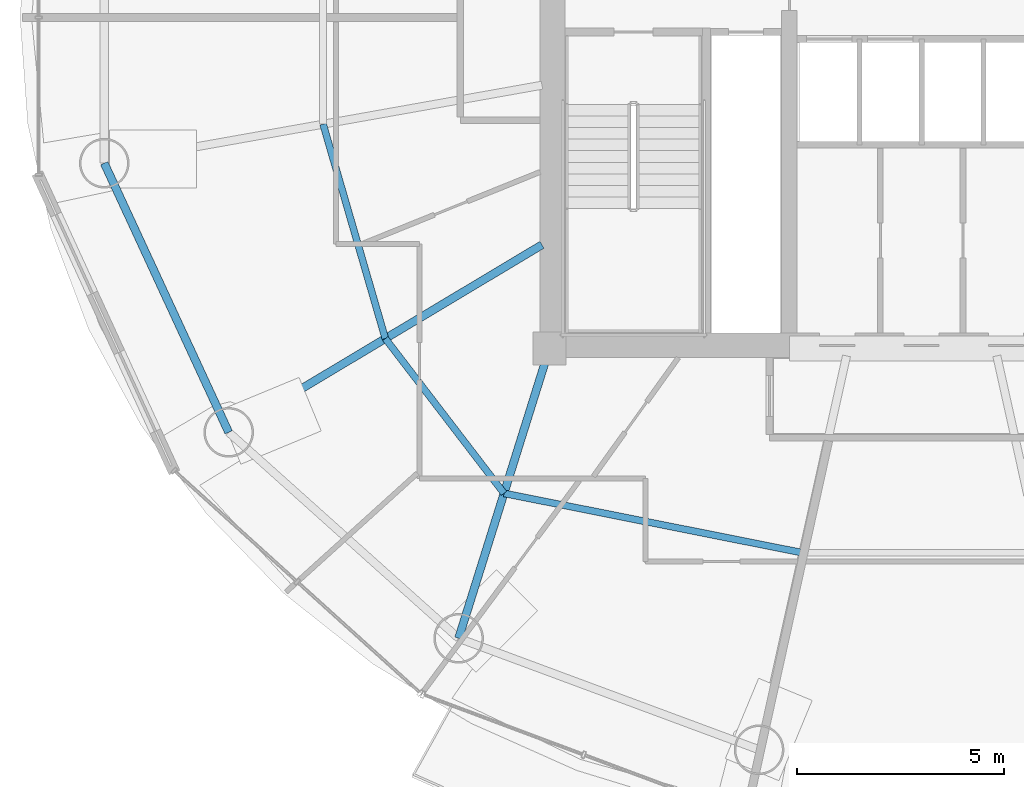
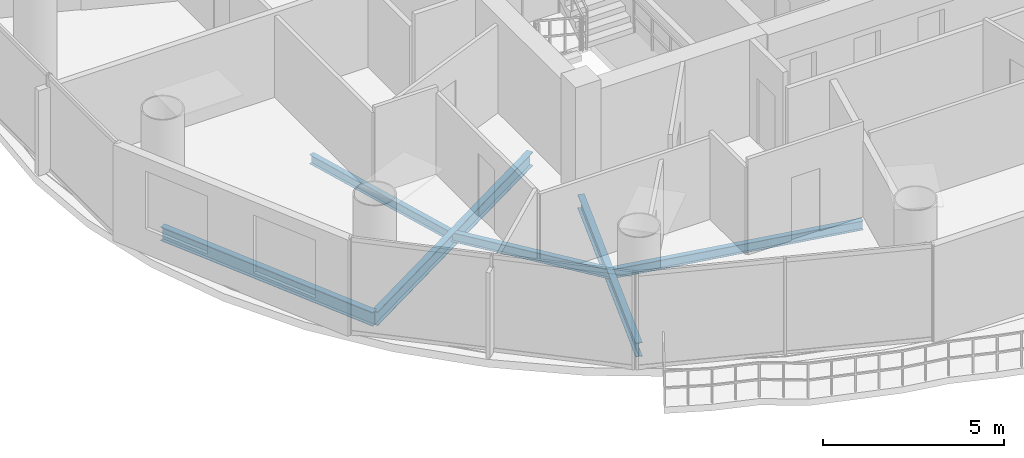
# One storey, part 4 of 26: 6 beams.
"""IFC4 building model written with IfcOpenShell, lengths in metres."""

import ifcopenshell
import ifcopenshell.guid

model = None  # the IFC model being written
_history = None  # IfcOwnerHistory: only IFC2X3 demands one
_inside = {}  # id of a spatial element -> (the spatial element, [elements in it])
_under = {}  # id of a project, library or spatial element -> (it, [spatial elements below it])
_declared = {}  # id of a project -> (the project, [libraries it declares])
_typed = {}  # id of a type object -> (the type object, [elements of that type])
_made_of = {}  # id of a material, layer set ... -> (it, [elements and type objects made of it])


def new_model(schema):
    """Start an empty IFC model of exactly this schema.

    Asked for "IFC4X3", IfcOpenShell would pick the latest addendum, in which some entities
    have other attributes; the version numbers below select the first issue.
    IFC2X3 requires an IfcOwnerHistory on every rooted entity: one is made here for all.
    """
    global model, _history
    if schema == "IFC4X3":
        model = ifcopenshell.file(schema_version=(4, 3, 0, 0))
    else:
        model = ifcopenshell.file(schema=schema)
    _inside.clear()
    _under.clear()
    _declared.clear()
    _typed.clear()
    _made_of.clear()
    _history = None
    if model.schema == "IFC2X3":
        org = make("IfcOrganization", Name="unknown")
        user = make(
            "IfcPersonAndOrganization",
            ThePerson=make("IfcPerson", FamilyName="unknown"),
            TheOrganization=org,
        )
        app = make(
            "IfcApplication",
            ApplicationDeveloper=org,
            Version="unknown",
            ApplicationFullName="unknown",
            ApplicationIdentifier="unknown",
        )
        _history = make(
            "IfcOwnerHistory",
            OwningUser=user,
            OwningApplication=app,
            ChangeAction="ADDED",
            CreationDate=0,
        )
    return model


def make(cls, **values):
    """One entity of the class cls with the attributes given. An attribute that is None is left unset."""
    return model.create_entity(
        cls, **{name: value for name, value in values.items() if value is not None}
    )


def rooted(cls, **values):
    """An entity with a GlobalId (a new one), such as an element, a storey or a relation."""
    return make(cls, GlobalId=ifcopenshell.guid.new(), OwnerHistory=_history, **values)


def si_unit(unit_type, name, prefix=None):
    """IfcSIUnit, for example si_unit("LENGTHUNIT", "METRE", prefix="MILLI")."""
    return make("IfcSIUnit", UnitType=unit_type, Prefix=prefix, Name=name)


def assignment(units):
    """IfcUnitAssignment: the units of a project."""
    return None if units is None else make("IfcUnitAssignment", Units=units)


def point(xyz):
    """IfcCartesianPoint."""
    return None if xyz is None else make("IfcCartesianPoint", Coordinates=xyz)


def direction(xyz):
    """IfcDirection."""
    return None if xyz is None else make("IfcDirection", DirectionRatios=xyz)


def frame(location, z_axis=None, x_axis=None):
    """IfcAxis2Placement3D, a coordinate frame: its origin and axes. An axis left out is left unset."""
    return make(
        "IfcAxis2Placement3D",
        Location=point(location),
        Axis=direction(z_axis),
        RefDirection=direction(x_axis),
    )


def frame_2d(location, x_axis=None):
    """IfcAxis2Placement2D, a coordinate frame in the plane: its origin and x axis."""
    return make(
        "IfcAxis2Placement2D", Location=point(location), RefDirection=direction(x_axis)
    )


def origin():
    """The frame at (0, 0, 0) with its axes left unset."""
    return frame((0.0, 0.0, 0.0))


def origin_2d():
    """The frame at (0, 0) in the plane with its x axis left unset."""
    return frame_2d((0.0, 0.0))


def place(relative_to, where):
    """IfcLocalPlacement: puts the frame where relative to a parent placement (None: the world)."""
    return make(
        "IfcLocalPlacement", PlacementRelTo=relative_to, RelativePlacement=where
    )


def context(
    kind, dimensions, precision=None, world=None, true_north=None, identifier=None
):
    """IfcGeometricRepresentationContext, for example the 3D "Model" context."""
    return make(
        "IfcGeometricRepresentationContext",
        ContextIdentifier=identifier,
        ContextType=kind,
        CoordinateSpaceDimension=dimensions,
        Precision=precision,
        WorldCoordinateSystem=world,
        TrueNorth=true_north,
    )


def subcontext(parent, identifier, kind, view, scale=None):
    """IfcGeometricRepresentationSubContext, for example "Body" below "Model"."""
    return make(
        "IfcGeometricRepresentationSubContext",
        ContextIdentifier=identifier,
        ContextType=kind,
        ParentContext=parent,
        TargetScale=scale,
        TargetView=view,
    )


def project(units=None, contexts=None):
    """IfcProject with its units and contexts."""
    return rooted(
        "IfcProject",
        Name="project",
        RepresentationContexts=contexts,
        UnitsInContext=assignment(units),
    )


def spatial(cls, under=None, at=None, **own):
    """A site, building, storey or space (cls), placed at a placement, below another one or the project."""
    s = rooted(cls, ObjectPlacement=at, **own)
    if under is not None:
        _under.setdefault(under.id(), (under, []))[1].append(s)
    return s


def profile(cls, at=None, kind="AREA", **sizes):
    """A parametric profile (cls). Its sizes go by their IFC names, for example OverallWidth=200.0."""
    return make(cls, ProfileType=kind, Position=at, **sizes)


def i_section(**sizes):
    """IfcIShapeProfileDef."""
    return profile("IfcIShapeProfileDef", **sizes)


def extrude(swept, where, along, depth):
    """IfcExtrudedAreaSolid: the profile swept, set in the frame where, extruded along a direction by depth."""
    return make(
        "IfcExtrudedAreaSolid",
        SweptArea=swept,
        Position=where,
        ExtrudedDirection=direction(along),
        Depth=depth,
    )


def shape(context_of_items, identifier, shape_type, items):
    """IfcShapeRepresentation: the items that make up one representation, for example the "Body"."""
    return make(
        "IfcShapeRepresentation",
        ContextOfItems=context_of_items,
        RepresentationIdentifier=identifier,
        RepresentationType=shape_type,
        Items=items,
    )


def material(Name=None, Category=None):
    """IfcMaterial."""
    return make("IfcMaterial", Name=Name, Category=Category)


def material_profile(
    of_material, cross_section, Name=None, Category=None, Priority=None
):
    """IfcMaterialProfile: a cross section and its material."""
    return make(
        "IfcMaterialProfile",
        Name=Name,
        Material=of_material,
        Profile=cross_section,
        Priority=Priority,
        Category=Category,
    )


def profile_set(profiles, Name=None, composite=None):
    """IfcMaterialProfileSet."""
    return make(
        "IfcMaterialProfileSet",
        Name=Name,
        MaterialProfiles=profiles,
        CompositeProfile=composite,
    )


def made_of(thing, what):
    """Note that an element or type object is made of a material, layer set ...; save() writes the relation."""
    if what is not None:
        _made_of.setdefault(what.id(), (what, []))[1].append(thing)
    return thing


def type_object(cls, material=None, **own):
    """A type object (cls), such as IfcWallType, which elements share."""
    return made_of(rooted(cls, **own), material)


def element(
    cls,
    number,
    at=None,
    inside=None,
    cuts=None,
    type_object=None,
    material=None,
    context=None,
    identifier="Body",
    shape_type=None,
    held_by="IfcProductDefinitionShape",
    body=None,
    shapes=None,
    **own,
):
    """One element of the class cls, such as IfcWall. Its Tag is "e" and its number.

    at: its placement. inside: the storey or other place that contains it. cuts: it is an
    opening in that element (IfcRelVoidsElement). A single representation is given by context,
    identifier, shape_type and body (its items); several are given by shapes. held_by: the class
    of the entity that holds the representations. save() writes the other relations.
    """
    e = rooted(cls, Tag="e%d" % number, ObjectPlacement=at, **own)
    if body is not None:
        shapes = [shape(context, identifier, shape_type, body)]
    if shapes is not None:
        e.Representation = make(held_by, Representations=shapes)
    if inside is not None:
        _inside.setdefault(inside.id(), (inside, []))[1].append(e)
    if cuts is not None:
        rooted(
            "IfcRelVoidsElement", RelatingBuildingElement=cuts, RelatedOpeningElement=e
        )
    if type_object is not None:
        _typed.setdefault(type_object.id(), (type_object, []))[1].append(e)
    return made_of(e, material)


def aggregate(whole, parts):
    """IfcRelAggregates: a whole, such as a stair, and the parts it consists of."""
    return rooted("IfcRelAggregates", RelatingObject=whole, RelatedObjects=parts)


def save(model, path):
    """Write the relations noted so far, then the file.

    IfcRelAggregates (storeys below a building ...), IfcRelContainedInSpatialStructure (elements
    in a storey), IfcRelDefinesByType, IfcRelAssociatesMaterial and IfcRelDeclares: one each for
    every whole, place, type object, material and project.
    """
    for whole, parts in _under.values():
        aggregate(whole, parts)
    for where, things in _inside.values():
        rooted(
            "IfcRelContainedInSpatialStructure",
            RelatedElements=things,
            RelatingStructure=where,
        )
    for kind, things in _typed.values():
        rooted("IfcRelDefinesByType", RelatedObjects=things, RelatingType=kind)
    for what, things in _made_of.values():
        rooted("IfcRelAssociatesMaterial", RelatedObjects=things, RelatingMaterial=what)
    for by, libraries in _declared.values():
        rooted("IfcRelDeclares", RelatingContext=by, RelatedDefinitions=libraries)
    model.write(path)


model = new_model("IFC4")

# Units and contexts
model_context = context("Model", 3, precision=1e-05, world=origin(), true_north=direction((-0.2419218956, 0.970295726276)))
body_context = subcontext(model_context, "Body", "Model", "MODEL_VIEW")
ifc_project = project(units=[si_unit("LENGTHUNIT", "METRE"), si_unit("AREAUNIT", "SQUARE_METRE"), si_unit("VOLUMEUNIT", "CUBIC_METRE"), si_unit("PLANEANGLEUNIT", "RADIAN"), si_unit("MASSUNIT", "GRAM", prefix="KILO")], contexts=[model_context])

# Site, building, storey
site_placement = place(None, origin())
site = spatial("IfcSite", under=ifc_project, at=site_placement, CompositionType="ELEMENT")
building_placement = place(site_placement, origin())
building = spatial("IfcBuilding", under=site, at=building_placement, Name="Cobrevalo Terracotta Tower", CompositionType="ELEMENT")
storey_placement = place(building_placement, frame((0.0, 0.0, 239.300048828125)))
storey = spatial("IfcBuildingStorey", under=building, at=storey_placement, Name="L63", CompositionType="ELEMENT", Elevation=239.300048828125)

# Beams
ifc_material = material(Name="Steel S355", Category="steel")
ifc_material_profile_1 = material_profile(ifc_material, i_section(OverallWidth=0.194091796875, OverallDepth=0.468994140625, WebThickness=0.011474609375, FlangeThickness=0.0205078125, at=origin_2d()), Name="W 460x106")
ifc_profile_set_1 = profile_set([ifc_material_profile_1], Name="Steel S355")
beam_type_1 = type_object("IfcBeamType", Name="Structural Beam W 460x106 (Steel S355)", PredefinedType="BEAM", material=ifc_profile_set_1)
beam_1_placement = place(storey_placement, frame((21.245849609375, 16.77197265625, -0.49951171875), z_axis=(0.858046392192, 0.513572184651, 0.0), x_axis=(-0.513572184651, 0.858046392192, 0.0)))
element("IfcBeam", 1, at=beam_1_placement, inside=storey, type_object=beam_type_1, Name="L63 radial floor girder 10", PredefinedType="BEAM", context=body_context, shape_type="SweptSolid", body=[
    extrude(i_section(OverallWidth=0.194091796875, OverallDepth=0.468994140625, WebThickness=0.011474609375, FlangeThickness=0.0205078125, at=origin_2d()), origin(), (0.0, 0.0, 1.0), 8.827392578125),
])
beam_2_placement = place(storey_placement, frame((26.80517578125, 11.7919921875, -0.49951171875), z_axis=(0.298871212691, 0.954293454984, 0.0), x_axis=(-0.954293454984, 0.298871212691, 0.0)))
element("IfcBeam", 2, at=beam_2_placement, inside=storey, type_object=beam_type_1, Name="L63 radial floor girder 11", PredefinedType="BEAM", context=body_context, shape_type="SweptSolid", body=[
    extrude(i_section(OverallWidth=0.194091796875, OverallDepth=0.468994140625, WebThickness=0.011474609375, FlangeThickness=0.0205078125, at=origin_2d()), origin(), (0.0, 0.0, 1.0), 7.34375),
])
ifc_material_profile_2 = material_profile(ifc_material, i_section(OverallWidth=0.1650390625, OverallDepth=0.31005859375, WebThickness=0.005859375, FlangeThickness=0.009765625, at=origin_2d()), Name="W 310x38.7")
ifc_profile_set_2 = profile_set([ifc_material_profile_2], Name="Steel S355")
beam_type_2 = type_object("IfcBeamType", Name="Structural Joist W 310x38.7 (Steel S355)", PredefinedType="JOIST", material=ifc_profile_set_2)
beam_3_placement = place(storey_placement, frame((23.528564453125, 24.221435546875, -0.420166015625), z_axis=(0.278757705995, -0.960361463902, 0.0), x_axis=(0.960361463902, 0.278757705995, 0.0)))
element("IfcBeam", 3, at=beam_3_placement, inside=storey, type_object=beam_type_2, Name="L63 circumferential secondary floor joist 09", PredefinedType="JOIST", context=body_context, shape_type="SweptSolid", body=[
    extrude(i_section(OverallWidth=0.1650390625, OverallDepth=0.31005859375, WebThickness=0.005859375, FlangeThickness=0.009765625, at=origin_2d()), origin(), (0.0, 0.0, 1.0), 5.396728515625),
])
beam_4_placement = place(storey_placement, frame((25.032958984375, 19.03857421875, -0.420166015625), z_axis=(0.608464146296, -0.793581364872, 0.0), x_axis=(0.793581364872, 0.608464146296, 0.0)))
element("IfcBeam", 4, at=beam_4_placement, inside=storey, type_object=beam_type_2, Name="L63 circumferential secondary floor joist 10", PredefinedType="JOIST", context=body_context, shape_type="SweptSolid", body=[
    extrude(i_section(OverallWidth=0.1650390625, OverallDepth=0.31005859375, WebThickness=0.005859375, FlangeThickness=0.009765625, at=origin_2d()), origin(), (0.0, 0.0, 1.0), 4.716064453125),
])
beam_5_placement = place(storey_placement, frame((27.902587890625, 15.2958984375, -0.420166015625), z_axis=(0.980768907748, -0.195172614871, 0.0), x_axis=(0.195172614871, 0.980768907748, 0.0)))
element("IfcBeam", 5, at=beam_5_placement, inside=storey, type_object=beam_type_2, Name="L63 circumferential secondary floor joist 11", PredefinedType="JOIST", context=body_context, shape_type="SweptSolid", body=[
    extrude(i_section(OverallWidth=0.1650390625, OverallDepth=0.31005859375, WebThickness=0.005859375, FlangeThickness=0.009765625, at=origin_2d()), origin(), (0.0, 0.0, 1.0), 7.365234375),
])
ifc_material_profile_3 = material_profile(ifc_material, i_section(OverallWidth=0.194091796875, OverallDepth=0.468994140625, WebThickness=0.011474609375, FlangeThickness=0.0205078125, at=origin_2d()), Name="W 460x106")
ifc_profile_set_3 = profile_set([ifc_material_profile_3], Name="Steel S355")
beam_type_3 = type_object("IfcBeamType", Name="Structural Spandrel W 460x106 (Steel S355)", PredefinedType="SPANDREL", material=ifc_profile_set_3)
beam_6_placement = place(storey_placement, frame((18.237060546875, 23.278564453125, -0.49951171875), z_axis=(0.419718939129, -0.90765412583, 0.0), x_axis=(0.90765412583, 0.419718939129, 0.0)))
element("IfcBeam", 6, at=beam_6_placement, inside=storey, type_object=beam_type_3, Name="L63 perimeter ring spandrel 09", PredefinedType="SPANDREL", context=body_context, shape_type="SweptSolid", body=[
    extrude(i_section(OverallWidth=0.194091796875, OverallDepth=0.468994140625, WebThickness=0.011474609375, FlangeThickness=0.0205078125, at=origin_2d()), origin(), (0.0, 0.0, 1.0), 7.168701171875),
])

save(model, "model.ifc")
